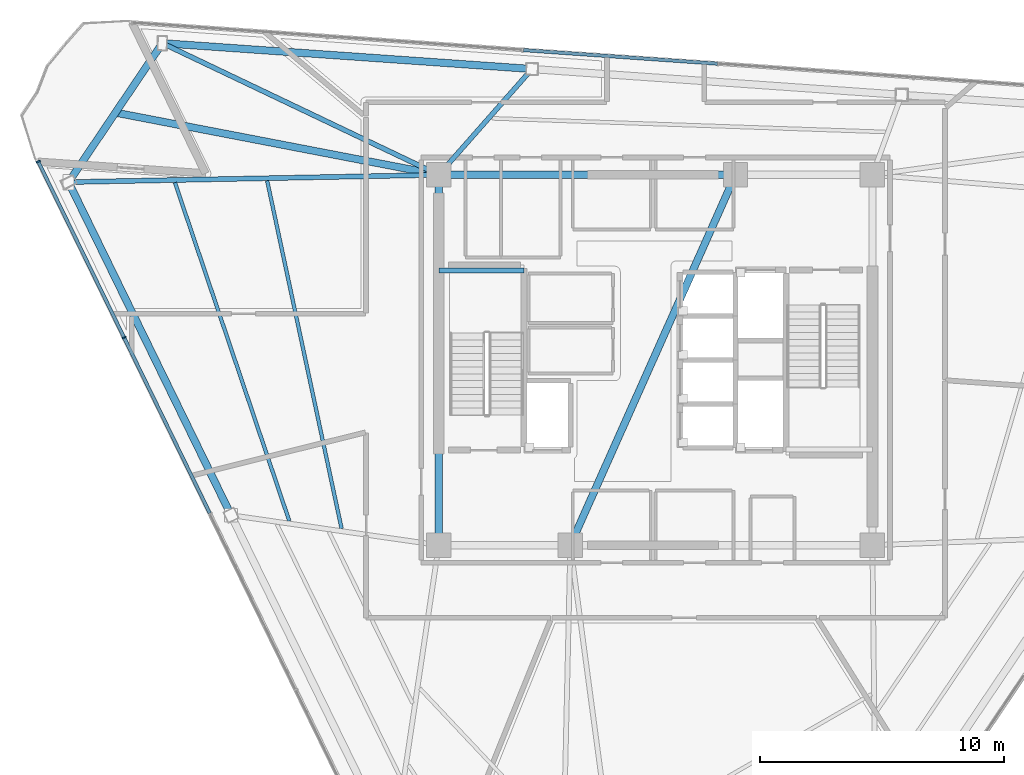
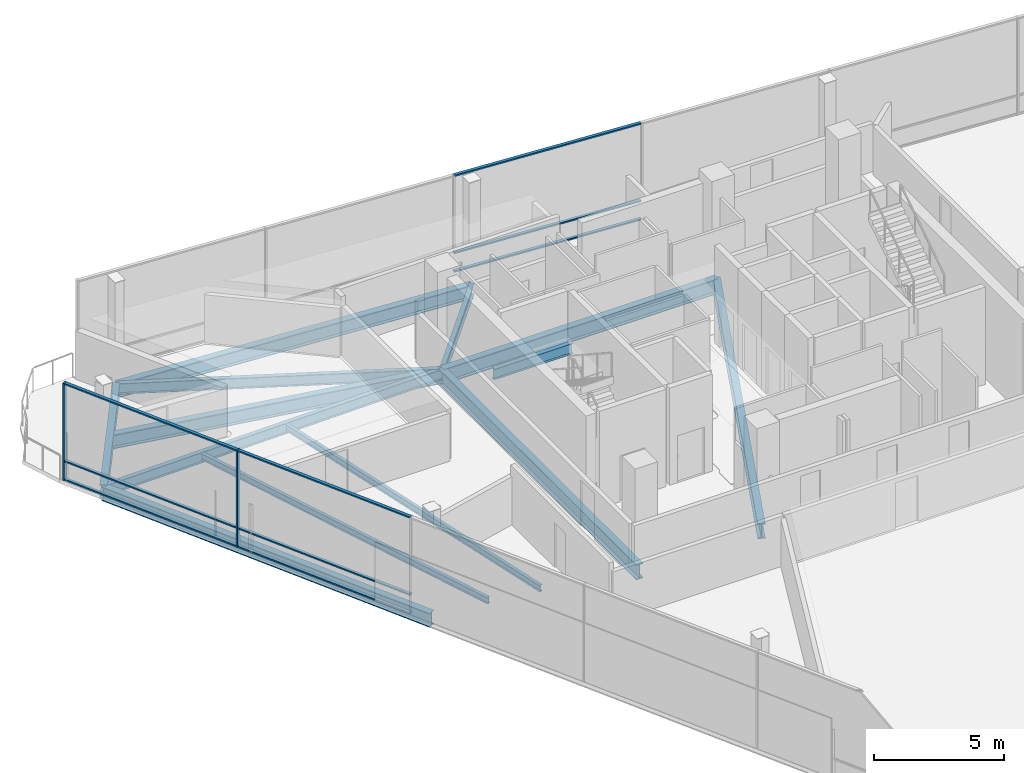
# One storey, part 5 of 13: 13 beams, 11 members, 2 elements without a shape of their own.
"""IFC4 building model written with IfcOpenShell, lengths in metres."""

from ifc_helpers import new_model, si_unit, direction, frame, origin, origin_2d, place, context, subcontext, project, spatial, rectangle, i_section, extrude, material, layer, layer_set, material_profile, profile_set, type_object, element, aggregate, save


model = new_model("IFC4")

# Units and contexts
model_context = context("Model", 3, precision=1e-05, world=origin(), true_north=direction((0.0, 1.0)))
body_context = subcontext(model_context, "Body", "Model", "MODEL_VIEW")
ifc_project = project(units=[si_unit("LENGTHUNIT", "METRE"), si_unit("AREAUNIT", "SQUARE_METRE"), si_unit("VOLUMEUNIT", "CUBIC_METRE"), si_unit("PLANEANGLEUNIT", "RADIAN"), si_unit("MASSUNIT", "GRAM", prefix="KILO")], contexts=[model_context])

# Site, building, storey
site_placement = place(None, origin())
site = spatial("IfcSite", under=ifc_project, at=site_placement, CompositionType="ELEMENT")
building_placement = place(site_placement, origin())
building = spatial("IfcBuilding", under=site, at=building_placement, Name="Tharavind Bronze Gate", CompositionType="ELEMENT")
storey_placement = place(building_placement, frame((0.0, 0.0, 248.64990234375)))
storey = spatial("IfcBuildingStorey", under=building, at=storey_placement, Name="L64", CompositionType="ELEMENT", Elevation=248.64990234375)

# Curtain wall, members
ifc_material_1 = material(Name="Anodised Bronze Aluminium", Category="aluminium")
ifc_layer = layer(ifc_material_1, 0.219970703125)
ifc_layer_set = layer_set([ifc_layer], Name="Anodised Bronze Aluminium")
curtain_wall_type = type_object("IfcCurtainWallType", Name="UNITISED CURTAIN WALL UPPER OFFICE", PredefinedType="USERDEFINED", material=ifc_layer_set)
curtain_wall_1_placement = place(storey_placement, origin())
curtain_wall_1 = element("IfcCurtainWall", 1, at=curtain_wall_1_placement, inside=storey, type_object=curtain_wall_type, Name="L64 unitised curtain wall upper office CW-L64-S1", ObjectType="UNITISED CURTAIN WALL", PredefinedType="USERDEFINED")
member_type_1 = type_object("IfcMemberType", Name="CURTAIN WALL BRONZE MULLION 65X180", PredefinedType="MULLION", material=ifc_material_1)
member_1_placement = place(storey_placement, frame((-25.337158203125, 8.140625, 0.0), z_axis=(0.0, 0.0, 1.0), x_axis=(0.438371146789, -0.898794046299, 0.0)))
member_1 = element("IfcMember", 2, at=member_1_placement, type_object=member_type_1, Name="CW-L64-S1 mullion 1", PredefinedType="MULLION", context=body_context, shape_type="SweptSolid", body=[
    extrude(rectangle(XDim=0.06494140625, YDim=0.179931640625, at=origin_2d()), origin(), (0.0, 0.0, 1.0), 4.56005859375),
])
member_2_placement = place(storey_placement, frame((-21.8134765625, 0.916259765625, 0.0), z_axis=(0.0, 0.0, 1.0), x_axis=(0.438371146789, -0.898794046299, 0.0)))
member_2 = element("IfcMember", 3, at=member_2_placement, type_object=member_type_1, Name="CW-L64-S1 mullion 2", PredefinedType="MULLION", context=body_context, shape_type="SweptSolid", body=[
    extrude(rectangle(XDim=0.06494140625, YDim=0.179931640625, at=origin_2d()), origin(), (0.0, 0.0, 1.0), 4.56005859375),
])
member_type_2 = type_object("IfcMemberType", Name="CURTAIN WALL BRONZE TRANSOM 65X140", PredefinedType="USERDEFINED", material=ifc_material_1)
member_3_placement = place(storey_placement, frame((-23.5751953125, 4.5283203125, 0.000244140625), z_axis=(0.0, 0.0, 1.0), x_axis=(0.438371146789, -0.898794046299, 0.0)))
member_3 = element("IfcMember", 4, at=member_3_placement, type_object=member_type_2, Name="CW-L64-S1 transom TB1", ObjectType="TRANSOM", PredefinedType="USERDEFINED", context=body_context, shape_type="SweptSolid", body=[
    extrude(rectangle(XDim=7.985107421875, YDim=0.139892578125, at=origin_2d()), origin(), (0.0, 0.0, 1.0), 0.06494140625),
])
member_4_placement = place(storey_placement, frame((-23.5751953125, 4.5283203125, 0.86767578125), z_axis=(0.0, 0.0, 1.0), x_axis=(0.438371146789, -0.898794046299, 0.0)))
member_4 = element("IfcMember", 5, at=member_4_placement, type_object=member_type_2, Name="CW-L64-S1 transom TS1", ObjectType="TRANSOM", PredefinedType="USERDEFINED", context=body_context, shape_type="SweptSolid", body=[
    extrude(rectangle(XDim=7.985107421875, YDim=0.139892578125, at=origin_2d()), origin(), (0.0, 0.0, 1.0), 0.06494140625),
])
member_5_placement = place(storey_placement, frame((-23.5751953125, 4.5283203125, 4.4951171875), z_axis=(0.0, 0.0, 1.0), x_axis=(0.438371146789, -0.898794046299, 0.0)))
member_5 = element("IfcMember", 6, at=member_5_placement, type_object=member_type_2, Name="CW-L64-S1 transom TT1", ObjectType="TRANSOM", PredefinedType="USERDEFINED", context=body_context, shape_type="SweptSolid", body=[
    extrude(rectangle(XDim=7.985107421875, YDim=0.139892578125, at=origin_2d()), origin(), (0.0, 0.0, 1.0), 0.06494140625),
])
member_6_placement = place(storey_placement, frame((-20.051513671875, -2.696044921875, 0.000244140625), z_axis=(0.0, 0.0, 1.0), x_axis=(0.438371146789, -0.898794046299, 0.0)))
member_6 = element("IfcMember", 7, at=member_6_placement, type_object=member_type_2, Name="CW-L64-S1 transom TB2", ObjectType="TRANSOM", PredefinedType="USERDEFINED", context=body_context, shape_type="SweptSolid", body=[
    extrude(rectangle(XDim=7.985107421875, YDim=0.139892578125, at=origin_2d()), origin(), (0.0, 0.0, 1.0), 0.06494140625),
])
member_7_placement = place(storey_placement, frame((-20.051513671875, -2.696044921875, 0.86767578125), z_axis=(0.0, 0.0, 1.0), x_axis=(0.438371146789, -0.898794046299, 0.0)))
member_7 = element("IfcMember", 8, at=member_7_placement, type_object=member_type_2, Name="CW-L64-S1 transom TS2", ObjectType="TRANSOM", PredefinedType="USERDEFINED", context=body_context, shape_type="SweptSolid", body=[
    extrude(rectangle(XDim=7.985107421875, YDim=0.139892578125, at=origin_2d()), origin(), (0.0, 0.0, 1.0), 0.06494140625),
])
member_8_placement = place(storey_placement, frame((-20.051513671875, -2.696044921875, 4.4951171875), z_axis=(0.0, 0.0, 1.0), x_axis=(0.438371146789, -0.898794046299, 0.0)))
member_8 = element("IfcMember", 9, at=member_8_placement, type_object=member_type_2, Name="CW-L64-S1 transom TT2", ObjectType="TRANSOM", PredefinedType="USERDEFINED", context=body_context, shape_type="SweptSolid", body=[
    extrude(rectangle(XDim=7.985107421875, YDim=0.139892578125, at=origin_2d()), origin(), (0.0, 0.0, 1.0), 0.06494140625),
])
aggregate(curtain_wall_1, [member_1, member_2, member_3, member_4, member_5, member_6, member_7, member_8])

curtain_wall_2_placement = place(storey_placement, origin())
curtain_wall_2 = element("IfcCurtainWall", 10, at=curtain_wall_2_placement, inside=storey, type_object=curtain_wall_type, Name="L64 unitised curtain wall upper office CW-L64-S3", ObjectType="UNITISED CURTAIN WALL", PredefinedType="USERDEFINED")
member_9_placement = place(storey_placement, frame((-1.44384765625, 12.442626953125, 0.000244140625), z_axis=(0.0, 0.0, 1.0), x_axis=(-0.99756392851, 0.069758214822, 0.0)))
member_9 = element("IfcMember", 11, at=member_9_placement, type_object=member_type_2, Name="CW-L64-S3 transom TB4", ObjectType="TRANSOM", PredefinedType="USERDEFINED", context=body_context, shape_type="SweptSolid", body=[
    extrude(rectangle(XDim=7.985107421875, YDim=0.139892578125, at=origin_2d()), origin(), (0.0, 0.0, 1.0), 0.06494140625),
])
member_10_placement = place(storey_placement, frame((-1.44384765625, 12.442626953125, 0.86767578125), z_axis=(0.0, 0.0, 1.0), x_axis=(-0.99756392851, 0.069758214822, 0.0)))
member_10 = element("IfcMember", 12, at=member_10_placement, type_object=member_type_2, Name="CW-L64-S3 transom TS4", ObjectType="TRANSOM", PredefinedType="USERDEFINED", context=body_context, shape_type="SweptSolid", body=[
    extrude(rectangle(XDim=7.985107421875, YDim=0.139892578125, at=origin_2d()), origin(), (0.0, 0.0, 1.0), 0.06494140625),
])
member_11_placement = place(storey_placement, frame((-1.44384765625, 12.442626953125, 4.4951171875), z_axis=(0.0, 0.0, 1.0), x_axis=(-0.99756392851, 0.069758214822, 0.0)))
member_11 = element("IfcMember", 13, at=member_11_placement, type_object=member_type_2, Name="CW-L64-S3 transom TT4", ObjectType="TRANSOM", PredefinedType="USERDEFINED", context=body_context, shape_type="SweptSolid", body=[
    extrude(rectangle(XDim=7.985107421875, YDim=0.139892578125, at=origin_2d()), origin(), (0.0, 0.0, 1.0), 0.06494140625),
])
aggregate(curtain_wall_2, [member_9, member_10, member_11])

# Beams
ifc_material_2 = material(Name="Steel S355", Category="steel")
ifc_material_profile_1 = material_profile(ifc_material_2, i_section(OverallWidth=0.300048828125, OverallDepth=0.64990234375, WebThickness=0.01611328125, FlangeThickness=0.031005859375, at=origin_2d()), Name="HE650B")
ifc_profile_set_1 = profile_set([ifc_material_profile_1], Name="Steel S355")
beam_type_1 = type_object("IfcBeamType", Name="PRIMARY GIRDER HE650B", PredefinedType="USERDEFINED", material=ifc_profile_set_1)
for number, where, z_axis, x_axis, name in (
    (14, (-24.093505859375, 7.302001953125, -0.5048828125), (0.438370186885, -0.898794514475, 0.0), (0.898794514475, 0.438370186885, 0.0), "L64 primary girder he650b BM-L64-PRG01"),
    (15, (-5.0732421875, 11.944580078125, -0.5048828125), (-0.997563917828, 0.069758367582, 0.0), (-0.069758367582, -0.997563917828, 0.0), "L64 primary girder he650b BM-L64-PRG11"),
):
    element("IfcBeam", number, at=place(storey_placement, frame(where, z_axis=z_axis, x_axis=x_axis)), inside=storey, type_object=beam_type_1, Name=name, ObjectType="GIRDER", PredefinedType="USERDEFINED", context=body_context, shape_type="SweptSolid", body=[
        extrude(i_section(OverallWidth=0.300048828125, OverallDepth=0.64990234375, WebThickness=0.01611328125, FlangeThickness=0.031005859375, at=origin_2d()), origin(), (0.0, 0.0, 1.0), 15.210205078125),
    ])
beam_1_placement = place(storey_placement, frame((-20.246337890625, 13.005615234375, -0.5048828125), z_axis=(-0.559196123664, -0.829035400498, 0.0), x_axis=(0.829035400498, -0.559196123664, 0.0)))
element("IfcBeam", 16, at=beam_1_placement, inside=storey, type_object=beam_type_1, Name="L64 primary girder he650b BM-L64-PRG12", ObjectType="GIRDER", PredefinedType="USERDEFINED", context=body_context, shape_type="SweptSolid", body=[
    extrude(i_section(OverallWidth=0.300048828125, OverallDepth=0.64990234375, WebThickness=0.01611328125, FlangeThickness=0.031005859375, at=origin_2d()), origin(), (0.0, 0.0, 1.0), 6.8798828125),
])
beam_2_placement = place(storey_placement, frame((-8.89990234375, 7.60009765625, -0.5048828125), z_axis=(-0.981981954997, 0.18897470746, 0.0), x_axis=(-0.18897470746, -0.981981954997, 0.0)))
element("IfcBeam", 17, at=beam_2_placement, inside=storey, type_object=beam_type_1, Name="L64 primary girder he650b BM-L64-BLCSB", ObjectType="GIRDER", PredefinedType="USERDEFINED", context=body_context, shape_type="SweptSolid", body=[
    extrude(i_section(OverallWidth=0.300048828125, OverallDepth=0.64990234375, WebThickness=0.01611328125, FlangeThickness=0.031005859375, at=origin_2d()), origin(), (0.0, 0.0, 1.0), 13.513427734375),
])
ifc_material_profile_2 = material_profile(ifc_material_2, i_section(OverallWidth=0.199951171875, OverallDepth=0.5, WebThickness=0.01025390625, FlangeThickness=0.01611328125, at=origin_2d()), Name="IPE500")
ifc_profile_set_2 = profile_set([ifc_material_profile_2], Name="Steel S355")
beam_type_2 = type_object("IfcBeamType", Name="PRIMARY GIRDER IPE500", PredefinedType="USERDEFINED", material=ifc_profile_set_2)
beam_3_placement = place(storey_placement, frame((-8.89990234375, 3.679931640625, 1.925048828125), z_axis=(1.0, 0.0, 0.0), x_axis=(0.0, 1.0, 0.0)))
element("IfcBeam", 18, at=beam_3_placement, inside=storey, type_object=beam_type_2, Name="L64 primary girder ipe500 BM-LD-ST1-L64-1", ObjectType="GIRDER", PredefinedType="USERDEFINED", context=body_context, shape_type="SweptSolid", body=[
    extrude(i_section(OverallWidth=0.199951171875, OverallDepth=0.5, WebThickness=0.01025390625, FlangeThickness=0.01611328125, at=origin_2d()), origin(), (0.0, 0.0, 1.0), 3.5),
])
beam_4_placement = place(storey_placement, frame((-24.093505859375, 7.302001953125, -0.429931640625), z_axis=(0.999807586961, 0.019616040745, 0.0), x_axis=(-0.019616040745, 0.999807586961, 0.0)))
element("IfcBeam", 19, at=beam_4_placement, inside=storey, type_object=beam_type_2, Name="L64 primary girder ipe500 BM-L64-RAD01", ObjectType="GIRDER", PredefinedType="USERDEFINED", context=body_context, shape_type="SweptSolid", body=[
    extrude(i_section(OverallWidth=0.199951171875, OverallDepth=0.5, WebThickness=0.01025390625, FlangeThickness=0.01611328125, at=origin_2d()), origin(), (0.0, 0.0, 1.0), 15.196533203125),
])
beam_5_placement = place(storey_placement, frame((-5.0732421875, 11.944580078125, -0.429931640625), z_axis=(-0.660970052171, -0.750412280106, 0.0), x_axis=(0.750412280106, -0.660970052171, 0.0)))
element("IfcBeam", 20, at=beam_5_placement, inside=storey, type_object=beam_type_2, Name="L64 primary girder ipe500 BM-L64-RAD11", ObjectType="GIRDER", PredefinedType="USERDEFINED", context=body_context, shape_type="SweptSolid", body=[
    extrude(i_section(OverallWidth=0.199951171875, OverallDepth=0.5, WebThickness=0.01025390625, FlangeThickness=0.01611328125, at=origin_2d()), origin(), (0.0, 0.0, 1.0), 5.78955078125),
])
beam_6_placement = place(storey_placement, frame((-20.246337890625, 13.005615234375, -0.429931640625), z_axis=(0.902784743055, -0.430092673394, 0.0), x_axis=(0.430092673394, 0.902784743055, 0.0)))
element("IfcBeam", 21, at=beam_6_placement, inside=storey, type_object=beam_type_2, Name="L64 primary girder ipe500 BM-L64-RAD12", ObjectType="GIRDER", PredefinedType="USERDEFINED", context=body_context, shape_type="SweptSolid", body=[
    extrude(i_section(OverallWidth=0.199951171875, OverallDepth=0.5, WebThickness=0.01025390625, FlangeThickness=0.01611328125, at=origin_2d()), origin(), (0.0, 0.0, 1.0), 12.568359375),
])
ifc_material_profile_3 = material_profile(ifc_material_2, i_section(OverallWidth=0.300048828125, OverallDepth=0.699951171875, WebThickness=0.01708984375, FlangeThickness=0.031982421875, at=origin_2d()), Name="HE700B")
ifc_profile_set_3 = profile_set([ifc_material_profile_3], Name="Steel S355")
beam_type_3 = type_object("IfcBeamType", Name="RING GIRDER HE700B", PredefinedType="USERDEFINED", material=ifc_profile_set_3)
beam_7_placement = place(storey_placement, frame((3.280029296875, 7.60009765625, -0.52978515625), z_axis=(-1.0, 0.0, 0.0), x_axis=(0.0, -1.0, 0.0)))
element("IfcBeam", 22, at=beam_7_placement, inside=storey, type_object=beam_type_3, Name="L64 ring girder he700b BM-L64-CR5", ObjectType="GIRDER", PredefinedType="USERDEFINED", context=body_context, shape_type="SweptSolid", body=[
    extrude(i_section(OverallWidth=0.300048828125, OverallDepth=0.699951171875, WebThickness=0.01708984375, FlangeThickness=0.031982421875, at=origin_2d()), origin(), (0.0, 0.0, 1.0), 12.179931640625),
])
beam_8_placement = place(storey_placement, frame((-8.89990234375, 7.60009765625, -0.52978515625), z_axis=(0.0, -1.0, 0.0), x_axis=(1.0, 0.0, 0.0)))
element("IfcBeam", 23, at=beam_8_placement, inside=storey, type_object=beam_type_3, Name="L64 ring girder he700b BM-L64-CR6", ObjectType="GIRDER", PredefinedType="USERDEFINED", context=body_context, shape_type="SweptSolid", body=[
    extrude(i_section(OverallWidth=0.300048828125, OverallDepth=0.699951171875, WebThickness=0.01708984375, FlangeThickness=0.031982421875, at=origin_2d()), origin(), (0.0, 0.0, 1.0), 15.2001953125),
])
beam_9_placement = place(storey_placement, frame((-3.5, -7.60009765625, -0.52978515625), z_axis=(0.407361644566, 0.913266932795, 0.0), x_axis=(-0.913266932795, 0.407361644566, 0.0)))
element("IfcBeam", 24, at=beam_9_placement, inside=storey, type_object=beam_type_3, Name="L64 ring girder he700b BM-L64-CR7", ObjectType="GIRDER", PredefinedType="USERDEFINED", context=body_context, shape_type="SweptSolid", body=[
    extrude(i_section(OverallWidth=0.300048828125, OverallDepth=0.699951171875, WebThickness=0.01708984375, FlangeThickness=0.031982421875, at=origin_2d()), origin(), (0.0, 0.0, 1.0), 16.643798828125),
])
ifc_material_profile_4 = material_profile(ifc_material_2, i_section(OverallWidth=0.14990234375, OverallDepth=0.300048828125, WebThickness=0.007080078125, FlangeThickness=0.0107421875, at=origin_2d()), Name="IPE300")
ifc_profile_set_4 = profile_set([ifc_material_profile_4], Name="Steel S355")
beam_type_4 = type_object("IfcBeamType", Name="SECONDARY FLOOR JOIST IPE300", PredefinedType="JOIST", material=ifc_profile_set_4)
beam_10_placement = place(storey_placement, frame((-15.94287109375, 7.35791015625, -0.329833984375), z_axis=(0.209253867675, -0.977861349509, 0.0), x_axis=(0.977861349509, 0.209253867675, 0.0)))
element("IfcBeam", 25, at=beam_10_placement, inside=storey, type_object=beam_type_4, Name="L64 secondary floor joist ipe300 BM-L64-JSTA01", PredefinedType="JOIST", context=body_context, shape_type="SweptSolid", body=[
    extrude(i_section(OverallWidth=0.14990234375, OverallDepth=0.300048828125, WebThickness=0.007080078125, FlangeThickness=0.0107421875, at=origin_2d()), origin(), (0.0, 0.0, 1.0), 14.600341796875),
])
beam_11_placement = place(storey_placement, frame((-19.728515625, 7.28369140625, -0.329833984375), z_axis=(0.320165511118, -0.9473616234, 0.0), x_axis=(0.9473616234, 0.320165511118, 0.0)))
element("IfcBeam", 26, at=beam_11_placement, inside=storey, type_object=beam_type_4, Name="L64 secondary floor joist ipe300 BM-L64-JSTB01", PredefinedType="JOIST", context=body_context, shape_type="SweptSolid", body=[
    extrude(i_section(OverallWidth=0.14990234375, OverallDepth=0.300048828125, WebThickness=0.007080078125, FlangeThickness=0.0107421875, at=origin_2d()), origin(), (0.0, 0.0, 1.0), 14.665283203125),
])

save(model, "model.ifc")
